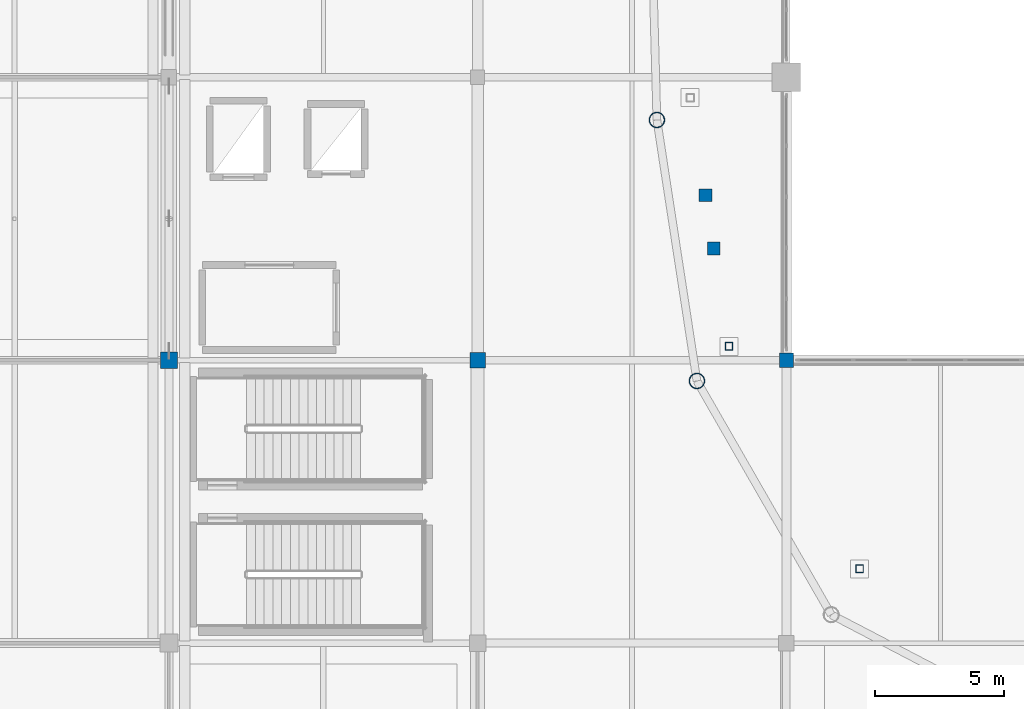
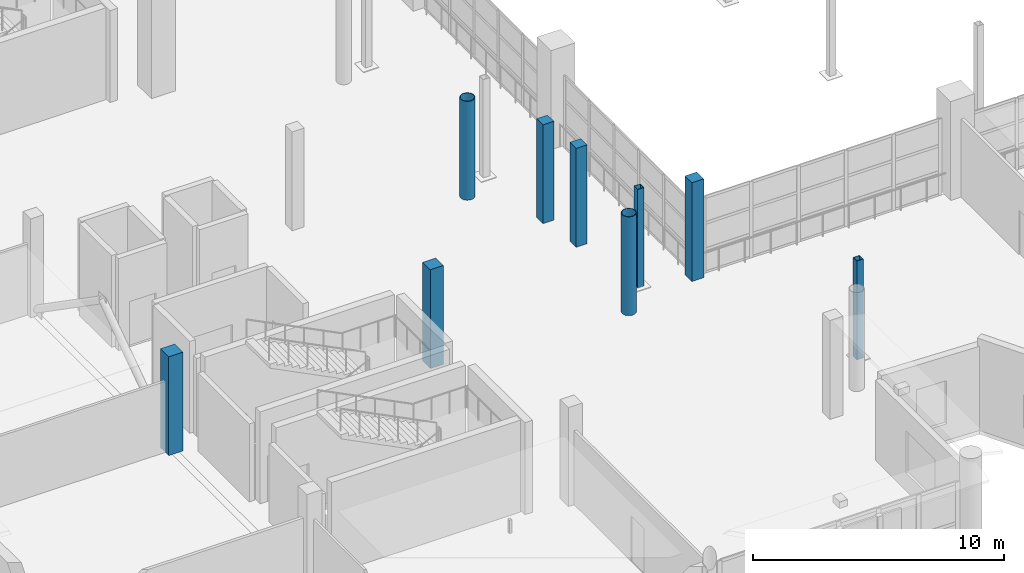
# One storey, part 2 of 143: 9 columns.
"""IFC4 building model written with IfcOpenShell, lengths in metres."""

import ifcopenshell
import ifcopenshell.guid

model = None  # the IFC model being written
_history = None  # IfcOwnerHistory: only IFC2X3 demands one
_inside = {}  # id of a spatial element -> (the spatial element, [elements in it])
_under = {}  # id of a project, library or spatial element -> (it, [spatial elements below it])
_declared = {}  # id of a project -> (the project, [libraries it declares])
_typed = {}  # id of a type object -> (the type object, [elements of that type])
_made_of = {}  # id of a material, layer set ... -> (it, [elements and type objects made of it])


def new_model(schema):
    """Start an empty IFC model of exactly this schema.

    Asked for "IFC4X3", IfcOpenShell would pick the latest addendum, in which some entities
    have other attributes; the version numbers below select the first issue.
    IFC2X3 requires an IfcOwnerHistory on every rooted entity: one is made here for all.
    """
    global model, _history
    if schema == "IFC4X3":
        model = ifcopenshell.file(schema_version=(4, 3, 0, 0))
    else:
        model = ifcopenshell.file(schema=schema)
    _inside.clear()
    _under.clear()
    _declared.clear()
    _typed.clear()
    _made_of.clear()
    _history = None
    if model.schema == "IFC2X3":
        org = make("IfcOrganization", Name="unknown")
        user = make(
            "IfcPersonAndOrganization",
            ThePerson=make("IfcPerson", FamilyName="unknown"),
            TheOrganization=org,
        )
        app = make(
            "IfcApplication",
            ApplicationDeveloper=org,
            Version="unknown",
            ApplicationFullName="unknown",
            ApplicationIdentifier="unknown",
        )
        _history = make(
            "IfcOwnerHistory",
            OwningUser=user,
            OwningApplication=app,
            ChangeAction="ADDED",
            CreationDate=0,
        )
    return model


def make(cls, **values):
    """One entity of the class cls with the attributes given. An attribute that is None is left unset."""
    return model.create_entity(
        cls, **{name: value for name, value in values.items() if value is not None}
    )


def rooted(cls, **values):
    """An entity with a GlobalId (a new one), such as an element, a storey or a relation."""
    return make(cls, GlobalId=ifcopenshell.guid.new(), OwnerHistory=_history, **values)


def si_unit(unit_type, name, prefix=None):
    """IfcSIUnit, for example si_unit("LENGTHUNIT", "METRE", prefix="MILLI")."""
    return make("IfcSIUnit", UnitType=unit_type, Prefix=prefix, Name=name)


def assignment(units):
    """IfcUnitAssignment: the units of a project."""
    return None if units is None else make("IfcUnitAssignment", Units=units)


def point(xyz):
    """IfcCartesianPoint."""
    return None if xyz is None else make("IfcCartesianPoint", Coordinates=xyz)


def direction(xyz):
    """IfcDirection."""
    return None if xyz is None else make("IfcDirection", DirectionRatios=xyz)


def frame(location, z_axis=None, x_axis=None):
    """IfcAxis2Placement3D, a coordinate frame: its origin and axes. An axis left out is left unset."""
    return make(
        "IfcAxis2Placement3D",
        Location=point(location),
        Axis=direction(z_axis),
        RefDirection=direction(x_axis),
    )


def frame_2d(location, x_axis=None):
    """IfcAxis2Placement2D, a coordinate frame in the plane: its origin and x axis."""
    return make(
        "IfcAxis2Placement2D", Location=point(location), RefDirection=direction(x_axis)
    )


def origin():
    """The frame at (0, 0, 0) with its axes left unset."""
    return frame((0.0, 0.0, 0.0))


def origin_2d():
    """The frame at (0, 0) in the plane with its x axis left unset."""
    return frame_2d((0.0, 0.0))


def place(relative_to, where):
    """IfcLocalPlacement: puts the frame where relative to a parent placement (None: the world)."""
    return make(
        "IfcLocalPlacement", PlacementRelTo=relative_to, RelativePlacement=where
    )


def context(
    kind, dimensions, precision=None, world=None, true_north=None, identifier=None
):
    """IfcGeometricRepresentationContext, for example the 3D "Model" context."""
    return make(
        "IfcGeometricRepresentationContext",
        ContextIdentifier=identifier,
        ContextType=kind,
        CoordinateSpaceDimension=dimensions,
        Precision=precision,
        WorldCoordinateSystem=world,
        TrueNorth=true_north,
    )


def subcontext(parent, identifier, kind, view, scale=None):
    """IfcGeometricRepresentationSubContext, for example "Body" below "Model"."""
    return make(
        "IfcGeometricRepresentationSubContext",
        ContextIdentifier=identifier,
        ContextType=kind,
        ParentContext=parent,
        TargetScale=scale,
        TargetView=view,
    )


def project(units=None, contexts=None):
    """IfcProject with its units and contexts."""
    return rooted(
        "IfcProject",
        Name="project",
        RepresentationContexts=contexts,
        UnitsInContext=assignment(units),
    )


def spatial(cls, under=None, at=None, **own):
    """A site, building, storey or space (cls), placed at a placement, below another one or the project."""
    s = rooted(cls, ObjectPlacement=at, **own)
    if under is not None:
        _under.setdefault(under.id(), (under, []))[1].append(s)
    return s


def profile(cls, at=None, kind="AREA", **sizes):
    """A parametric profile (cls). Its sizes go by their IFC names, for example OverallWidth=200.0."""
    return make(cls, ProfileType=kind, Position=at, **sizes)


def rectangle(**sizes):
    """IfcRectangleProfileDef."""
    return profile("IfcRectangleProfileDef", **sizes)


def hollow_rectangle(**sizes):
    """IfcRectangleHollowProfileDef."""
    return profile("IfcRectangleHollowProfileDef", **sizes)


def hollow_circle(**sizes):
    """IfcCircleHollowProfileDef."""
    return profile("IfcCircleHollowProfileDef", **sizes)


def extrude(swept, where, along, depth):
    """IfcExtrudedAreaSolid: the profile swept, set in the frame where, extruded along a direction by depth."""
    return make(
        "IfcExtrudedAreaSolid",
        SweptArea=swept,
        Position=where,
        ExtrudedDirection=direction(along),
        Depth=depth,
    )


def shape(context_of_items, identifier, shape_type, items):
    """IfcShapeRepresentation: the items that make up one representation, for example the "Body"."""
    return make(
        "IfcShapeRepresentation",
        ContextOfItems=context_of_items,
        RepresentationIdentifier=identifier,
        RepresentationType=shape_type,
        Items=items,
    )


def material(Name=None, Category=None):
    """IfcMaterial."""
    return make("IfcMaterial", Name=Name, Category=Category)


def material_profile(
    of_material, cross_section, Name=None, Category=None, Priority=None
):
    """IfcMaterialProfile: a cross section and its material."""
    return make(
        "IfcMaterialProfile",
        Name=Name,
        Material=of_material,
        Profile=cross_section,
        Priority=Priority,
        Category=Category,
    )


def profile_set(profiles, Name=None, composite=None):
    """IfcMaterialProfileSet."""
    return make(
        "IfcMaterialProfileSet",
        Name=Name,
        MaterialProfiles=profiles,
        CompositeProfile=composite,
    )


def made_of(thing, what):
    """Note that an element or type object is made of a material, layer set ...; save() writes the relation."""
    if what is not None:
        _made_of.setdefault(what.id(), (what, []))[1].append(thing)
    return thing


def type_object(cls, material=None, **own):
    """A type object (cls), such as IfcWallType, which elements share."""
    return made_of(rooted(cls, **own), material)


def element(
    cls,
    number,
    at=None,
    inside=None,
    cuts=None,
    type_object=None,
    material=None,
    context=None,
    identifier="Body",
    shape_type=None,
    held_by="IfcProductDefinitionShape",
    body=None,
    shapes=None,
    **own,
):
    """One element of the class cls, such as IfcWall. Its Tag is "e" and its number.

    at: its placement. inside: the storey or other place that contains it. cuts: it is an
    opening in that element (IfcRelVoidsElement). A single representation is given by context,
    identifier, shape_type and body (its items); several are given by shapes. held_by: the class
    of the entity that holds the representations. save() writes the other relations.
    """
    e = rooted(cls, Tag="e%d" % number, ObjectPlacement=at, **own)
    if body is not None:
        shapes = [shape(context, identifier, shape_type, body)]
    if shapes is not None:
        e.Representation = make(held_by, Representations=shapes)
    if inside is not None:
        _inside.setdefault(inside.id(), (inside, []))[1].append(e)
    if cuts is not None:
        rooted(
            "IfcRelVoidsElement", RelatingBuildingElement=cuts, RelatedOpeningElement=e
        )
    if type_object is not None:
        _typed.setdefault(type_object.id(), (type_object, []))[1].append(e)
    return made_of(e, material)


def aggregate(whole, parts):
    """IfcRelAggregates: a whole, such as a stair, and the parts it consists of."""
    return rooted("IfcRelAggregates", RelatingObject=whole, RelatedObjects=parts)


def save(model, path):
    """Write the relations noted so far, then the file.

    IfcRelAggregates (storeys below a building ...), IfcRelContainedInSpatialStructure (elements
    in a storey), IfcRelDefinesByType, IfcRelAssociatesMaterial and IfcRelDeclares: one each for
    every whole, place, type object, material and project.
    """
    for whole, parts in _under.values():
        aggregate(whole, parts)
    for where, things in _inside.values():
        rooted(
            "IfcRelContainedInSpatialStructure",
            RelatedElements=things,
            RelatingStructure=where,
        )
    for kind, things in _typed.values():
        rooted("IfcRelDefinesByType", RelatedObjects=things, RelatingType=kind)
    for what, things in _made_of.values():
        rooted("IfcRelAssociatesMaterial", RelatedObjects=things, RelatingMaterial=what)
    for by, libraries in _declared.values():
        rooted("IfcRelDeclares", RelatingContext=by, RelatedDefinitions=libraries)
    model.write(path)


model = new_model("IFC4")

# Units and contexts
model_context = context("Model", 3, precision=1e-05, world=origin(), true_north=direction((0.0, 1.0)))
body_context = subcontext(model_context, "Body", "Model", "MODEL_VIEW")
ifc_project = project(units=[si_unit("LENGTHUNIT", "METRE"), si_unit("AREAUNIT", "SQUARE_METRE"), si_unit("VOLUMEUNIT", "CUBIC_METRE"), si_unit("PLANEANGLEUNIT", "RADIAN"), si_unit("MASSUNIT", "GRAM", prefix="KILO")], contexts=[model_context])

# Site, building, storey
site_placement = place(None, origin())
site = spatial("IfcSite", under=ifc_project, at=site_placement, CompositionType="ELEMENT")
building_placement = place(site_placement, origin())
building = spatial("IfcBuilding", under=site, at=building_placement, Name="Luwafu Chhajja Arena", CompositionType="ELEMENT")
storey_placement = place(building_placement, frame((0.0, 0.0, 5.39990234375)))
storey = spatial("IfcBuildingStorey", under=building, at=storey_placement, Name="L01", CompositionType="ELEMENT", Elevation=5.39990234375)

# Columns
ifc_material_1 = material(Name="Concrete C35/45", Category="concrete")
ifc_material_profile_1 = material_profile(ifc_material_1, rectangle(XDim=0.550048828125, YDim=0.550048828125, at=origin_2d()), Name="RC 550x550")
ifc_profile_set_1 = profile_set([ifc_material_profile_1], Name="Concrete C35/45")
column_type_1 = type_object("IfcColumnType", Name="Gallery Column RC 550", PredefinedType="COLUMN", material=ifc_profile_set_1)
column_1_placement = place(storey_placement, frame((58.0, 22.0, 0.0), z_axis=(0.0, 0.0, 1.0), x_axis=(1.0, 0.0, 0.0)))
element("IfcColumn", 1, at=column_1_placement, inside=storey, type_object=column_type_1, Name="L01 Grid Column 6/C", PredefinedType="COLUMN", context=body_context, shape_type="SweptSolid", body=[
    extrude(rectangle(XDim=0.550048828125, YDim=0.550048828125, at=origin_2d()), origin(), (0.0, 0.0, 1.0), 4.800048828125),
])
ifc_material_profile_2 = material_profile(ifc_material_1, rectangle(XDim=0.60009765625, YDim=0.60009765625, at=origin_2d()), Name="RC 600x600")
ifc_profile_set_2 = profile_set([ifc_material_profile_2], Name="Concrete C35/45")
column_type_2 = type_object("IfcColumnType", Name="Mezzanine Column RC 600", PredefinedType="COLUMN", material=ifc_profile_set_2)
column_2_placement = place(storey_placement, frame((46.0, 22.0, 0.0), z_axis=(0.0, 0.0, 1.0), x_axis=(1.0, 0.0, 0.0)))
element("IfcColumn", 2, at=column_2_placement, inside=storey, type_object=column_type_2, Name="L01 Grid Column 5/C", PredefinedType="COLUMN", context=body_context, shape_type="SweptSolid", body=[
    extrude(rectangle(XDim=0.60009765625, YDim=0.60009765625, at=origin_2d()), origin(), (0.0, 0.0, 1.0), 4.800048828125),
])
ifc_material_profile_3 = material_profile(ifc_material_1, rectangle(XDim=0.5, YDim=0.5, at=origin_2d()), Name="RC 500x500")
ifc_profile_set_3 = profile_set([ifc_material_profile_3], Name="Concrete C35/45")
column_type_3 = type_object("IfcColumnType", Name="Pavilion Column RC 500", PredefinedType="COLUMN", material=ifc_profile_set_3)
for number, where, z_axis, x_axis, name in (
    (3, (54.854248046875, 28.41015625, 0.0), (0.0, 0.0, 1.0), (1.0, 0.0, 0.0), "L01 Vomitory Stack Column VU19A"),
    (4, (55.178955078125, 26.33544921875, 0.0), (0.0, 0.0, 1.0), (1.0, 0.0, 0.0), "L01 Vomitory Stack Column VU19B"),
):
    element("IfcColumn", number, at=place(storey_placement, frame(where, z_axis=z_axis, x_axis=x_axis)), inside=storey, type_object=column_type_3, Name=name, PredefinedType="COLUMN", context=body_context, shape_type="SweptSolid", body=[
        extrude(rectangle(XDim=0.5, YDim=0.5, at=origin_2d()), origin(), (0.0, 0.0, 1.0), 4.800048828125),
    ])
ifc_material_2 = material(Name="Steel S355", Category="steel")
ifc_material_profile_4 = material_profile(ifc_material_2, hollow_circle(Radius=0.304931640625, WallThickness=0.02490234375, at=origin_2d()), Name="CHS 610x25")
ifc_profile_set_4 = profile_set([ifc_material_profile_4], Name="Steel S355")
column_type_4 = type_object("IfcColumnType", Name="Steel Bowl Drum Column CHS 610", PredefinedType="COLUMN", material=ifc_profile_set_4)
for number, where, z_axis, x_axis, name in (
    (5, (52.968017578125, 31.3388671875, 0.0), (0.0, 0.0, 1.0), (1.0, 0.0, 0.0), "L01 Bowl Drum Column D19"),
    (6, (54.52392578125, 21.194091796875, 0.0), (0.0, 0.0, 1.0), (1.0, 0.0, 0.0), "L01 Bowl Drum Column D20"),
):
    element("IfcColumn", number, at=place(storey_placement, frame(where, z_axis=z_axis, x_axis=x_axis)), inside=storey, type_object=column_type_4, Name=name, PredefinedType="COLUMN", context=body_context, shape_type="SweptSolid", body=[
        extrude(hollow_circle(Radius=0.304931640625, WallThickness=0.02490234375, at=origin_2d()), origin(), (0.0, 0.0, 1.0), 4.800048828125),
    ])
ifc_material_profile_5 = material_profile(ifc_material_2, hollow_rectangle(XDim=0.300048828125, YDim=0.300048828125, WallThickness=0.01611328125, at=origin_2d()), Name="SHS 300x300x16")
ifc_profile_set_5 = profile_set([ifc_material_profile_5], Name="Steel S355")
column_type_5 = type_object("IfcColumnType", Name="Steel Gallery Post SHS 300", PredefinedType="COLUMN", material=ifc_profile_set_5)
for number, where, z_axis, x_axis, name in (
    (7, (55.772705078125, 22.5419921875, 0.0), (0.0, 0.0, 1.0), (1.0, 0.0, 0.0), "L01 Upper Bowl Raker Column UO20"),
    (8, (60.84619140625, 13.8896484375, 0.0), (0.0, 0.0, 1.0), (1.0, 0.0, 0.0), "L01 Upper Bowl Raker Column UO21"),
):
    element("IfcColumn", number, at=place(storey_placement, frame(where, z_axis=z_axis, x_axis=x_axis)), inside=storey, type_object=column_type_5, Name=name, PredefinedType="COLUMN", context=body_context, shape_type="SweptSolid", body=[
        extrude(hollow_rectangle(XDim=0.300048828125, YDim=0.300048828125, WallThickness=0.01611328125, at=origin_2d()), origin(), (0.0, 0.0, 1.0), 4.800048828125),
    ])
ifc_material_profile_6 = material_profile(ifc_material_1, rectangle(XDim=0.64990234375, YDim=0.64990234375, at=origin_2d()), Name="RC 650x650")
ifc_profile_set_6 = profile_set([ifc_material_profile_6], Name="Concrete C35/45")
column_type_6 = type_object("IfcColumnType", Name="Upper Wing Column RC 650", PredefinedType="COLUMN", material=ifc_profile_set_6)
column_3_placement = place(storey_placement, frame((34.0, 22.0, 0.0), z_axis=(0.0, 0.0, 1.0), x_axis=(1.0, 0.0, 0.0)))
element("IfcColumn", 9, at=column_3_placement, inside=storey, type_object=column_type_6, Name="L01 Grid Column 4/C", PredefinedType="COLUMN", context=body_context, shape_type="SweptSolid", body=[
    extrude(rectangle(XDim=0.64990234375, YDim=0.64990234375, at=origin_2d()), origin(), (0.0, 0.0, 1.0), 4.800048828125),
])

save(model, "model.ifc")
